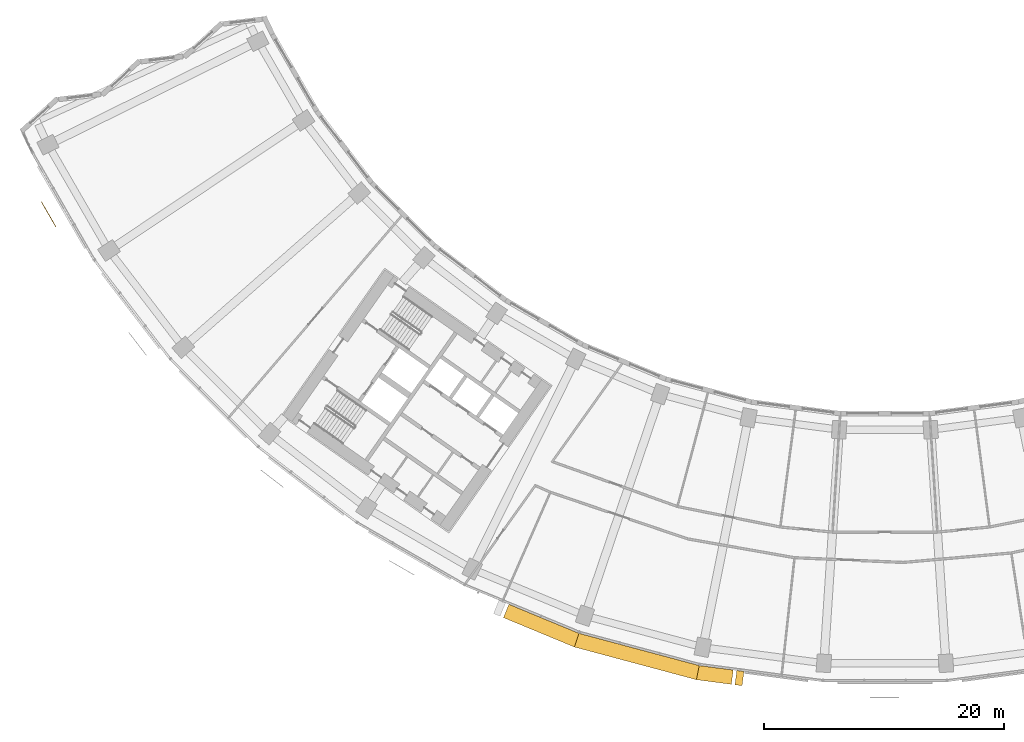
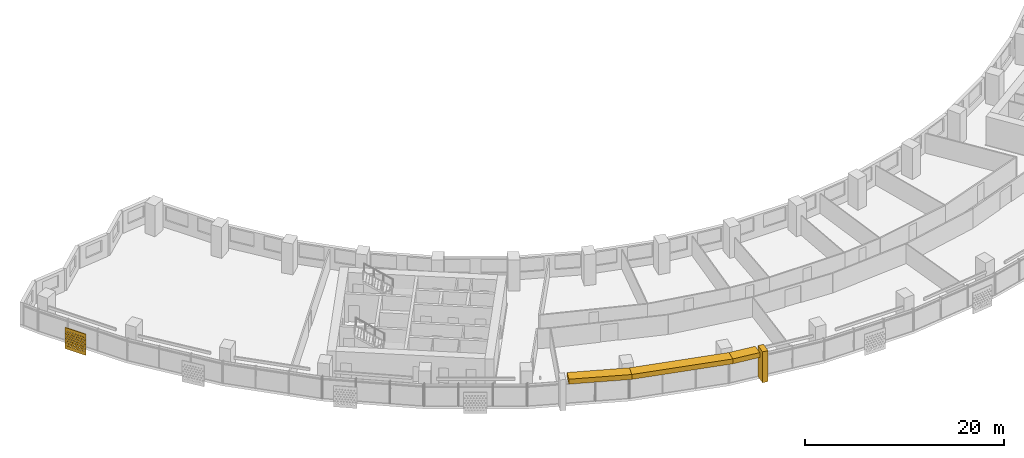
# One storey, part 25 of 29: 5 shading devices.
"""IFC4 building model written with IfcOpenShell, lengths in metres."""

from ifc_helpers import new_model, si_unit, direction, frame, origin, place, context, subcontext, project, spatial, polyline, outline, extrude, material, material_profile, profile_set, type_object, element, save


model = new_model("IFC4")

# Units and contexts
model_context = context("Model", 3, precision=1e-05, world=origin(), true_north=direction((0.0, 1.0)))
body_context = subcontext(model_context, "Body", "Model", "MODEL_VIEW")
ifc_project = project(units=[si_unit("LENGTHUNIT", "METRE"), si_unit("AREAUNIT", "SQUARE_METRE"), si_unit("VOLUMEUNIT", "CUBIC_METRE"), si_unit("PLANEANGLEUNIT", "RADIAN"), si_unit("MASSUNIT", "GRAM", prefix="KILO")], contexts=[model_context])

# Site, building, storey
site_placement = place(None, origin())
site = spatial("IfcSite", under=ifc_project, at=site_placement, CompositionType="ELEMENT")
building_placement = place(site_placement, origin())
building = spatial("IfcBuilding", under=site, at=building_placement, Name="Qamariyya Broadcast Tower", CompositionType="ELEMENT")
storey_placement = place(building_placement, frame((0.0, 0.0, 106.300048828125)))
storey = spatial("IfcBuildingStorey", under=building, at=storey_placement, Name="L23", CompositionType="ELEMENT", Elevation=106.300048828125)

# Shading devices
ifc_material_1 = material(Name="Steel S355 powder coated deep red", Category="steel")
shading_device_type_1 = type_object("IfcShadingDeviceType", Name="Deep red frame, powder coated steel box section", PredefinedType="USERDEFINED", material=ifc_material_1)
shading_device_1_placement = place(storey_placement, origin())
element("IfcShadingDevice", 1, at=shading_device_1_placement, inside=storey, type_object=shading_device_type_1, Name="e-frm-B2-F1-postb-L23", ObjectType="FRAME", PredefinedType="USERDEFINED", context=body_context, shape_type="SweptSolid", body=[
    extrude(outline(polyline([(-12.340087890625, -78.1884765625), (-12.49658203125, -79.378173828125), (-11.90185546875, -79.45654296875), (-11.7451171875, -78.266845703125), (-12.340087890625, -78.1884765625)])), origin(), (0.0, 0.0, 1.0), 3.800048828125),
])
shading_device_2_placement = place(storey_placement, frame((0.0, 0.0, 3.199951171875)))
element("IfcShadingDevice", 2, at=shading_device_2_placement, inside=storey, type_object=shading_device_type_1, Name="e-frm-B2-F1-top0", ObjectType="FRAME", PredefinedType="USERDEFINED", context=body_context, shape_type="SweptSolid", body=[
    extrude(outline(polyline([(-31.32470703125, -72.6748046875), (-31.783935546875, -73.783447265625), (-25.876708984375, -76.230224609375), (-25.490234375, -75.091552734375), (-31.32470703125, -72.6748046875)])), origin(), (0.0, 0.0, 1.0), 0.60009765625),
])
shading_device_3_placement = place(storey_placement, frame((0.0, 0.0, 3.199951171875)))
element("IfcShadingDevice", 3, at=shading_device_3_placement, inside=storey, type_object=shading_device_type_1, Name="e-frm-B2-F1-top1", ObjectType="FRAME", PredefinedType="USERDEFINED", context=body_context, shape_type="SweptSolid", body=[
    extrude(outline(polyline([(-25.490234375, -75.091552734375), (-25.876708984375, -76.230224609375), (-15.705322265625, -78.955810546875), (-15.470703125, -77.7763671875), (-25.490234375, -75.091552734375)])), origin(), (0.0, 0.0, 1.0), 0.60009765625),
])
shading_device_4_placement = place(storey_placement, frame((0.0, 0.0, 3.199951171875)))
element("IfcShadingDevice", 4, at=shading_device_4_placement, inside=storey, type_object=shading_device_type_1, Name="e-frm-B2-F1-top2", ObjectType="FRAME", PredefinedType="USERDEFINED", context=body_context, shape_type="SweptSolid", body=[
    extrude(outline(polyline([(-15.470703125, -77.7763671875), (-15.705322265625, -78.955810546875), (-12.794189453125, -79.339111328125), (-12.637451171875, -78.149169921875), (-15.470703125, -77.7763671875)])), origin(), (0.0, 0.0, 1.0), 0.60009765625),
])
ifc_material_2 = material(Name="Perforated glazed terracotta", Category="masonry")
ifc_material_profile = material_profile(ifc_material_2, outline(polyline([(-1.199951171875, -1.300048828125), (1.199951171875, -1.300048828125), (1.199951171875, 1.300048828125), (-1.199951171875, 1.300048828125), (-1.199951171875, -1.300048828125)]), holes=[polyline([(-0.81494140625, -0.86669921875), (-0.89990234375, -0.78173828125), (-0.985107421875, -0.86669921875), (-0.89990234375, -0.95166015625), (-0.81494140625, -0.86669921875)]), polyline([(-0.514892578125, -0.86669921875), (-0.60009765625, -0.78173828125), (-0.68505859375, -0.86669921875), (-0.60009765625, -0.95166015625), (-0.514892578125, -0.86669921875)]), polyline([(-0.215087890625, -0.86669921875), (-0.300048828125, -0.78173828125), (-0.385009765625, -0.86669921875), (-0.300048828125, -0.95166015625), (-0.215087890625, -0.86669921875)]), polyline([(0.0849609375, -0.86669921875), (0.0, -0.78173828125), (-0.0849609375, -0.86669921875), (0.0, -0.95166015625), (0.0849609375, -0.86669921875)]), polyline([(0.385009765625, -0.86669921875), (0.300048828125, -0.78173828125), (0.215087890625, -0.86669921875), (0.300048828125, -0.95166015625), (0.385009765625, -0.86669921875)]), polyline([(0.68505859375, -0.86669921875), (0.60009765625, -0.78173828125), (0.514892578125, -0.86669921875), (0.60009765625, -0.95166015625), (0.68505859375, -0.86669921875)]), polyline([(0.985107421875, -0.86669921875), (0.89990234375, -0.78173828125), (0.81494140625, -0.86669921875), (0.89990234375, -0.95166015625), (0.985107421875, -0.86669921875)]), polyline([(-0.965087890625, -0.577880859375), (-1.050048828125, -0.49267578125), (-1.135009765625, -0.577880859375), (-1.050048828125, -0.662841796875), (-0.965087890625, -0.577880859375)]), polyline([(-0.6650390625, -0.577880859375), (-0.75, -0.49267578125), (-0.8349609375, -0.577880859375), (-0.75, -0.662841796875), (-0.6650390625, -0.577880859375)]), polyline([(-0.364990234375, -0.577880859375), (-0.449951171875, -0.49267578125), (-0.534912109375, -0.577880859375), (-0.449951171875, -0.662841796875), (-0.364990234375, -0.577880859375)]), polyline([(-0.06494140625, -0.577880859375), (-0.14990234375, -0.49267578125), (-0.235107421875, -0.577880859375), (-0.14990234375, -0.662841796875), (-0.06494140625, -0.577880859375)]), polyline([(0.235107421875, -0.577880859375), (0.14990234375, -0.49267578125), (0.06494140625, -0.577880859375), (0.14990234375, -0.662841796875), (0.235107421875, -0.577880859375)]), polyline([(0.534912109375, -0.577880859375), (0.449951171875, -0.49267578125), (0.364990234375, -0.577880859375), (0.449951171875, -0.662841796875), (0.534912109375, -0.577880859375)]), polyline([(0.8349609375, -0.577880859375), (0.75, -0.49267578125), (0.6650390625, -0.577880859375), (0.75, -0.662841796875), (0.8349609375, -0.577880859375)]), polyline([(1.135009765625, -0.577880859375), (1.050048828125, -0.49267578125), (0.965087890625, -0.577880859375), (1.050048828125, -0.662841796875), (1.135009765625, -0.577880859375)]), polyline([(-0.81494140625, -0.288818359375), (-0.89990234375, -0.203857421875), (-0.985107421875, -0.288818359375), (-0.89990234375, -0.373779296875), (-0.81494140625, -0.288818359375)]), polyline([(-0.514892578125, -0.288818359375), (-0.60009765625, -0.203857421875), (-0.68505859375, -0.288818359375), (-0.60009765625, -0.373779296875), (-0.514892578125, -0.288818359375)]), polyline([(-0.215087890625, -0.288818359375), (-0.300048828125, -0.203857421875), (-0.385009765625, -0.288818359375), (-0.300048828125, -0.373779296875), (-0.215087890625, -0.288818359375)]), polyline([(0.0849609375, -0.288818359375), (0.0, -0.203857421875), (-0.0849609375, -0.288818359375), (0.0, -0.373779296875), (0.0849609375, -0.288818359375)]), polyline([(0.385009765625, -0.288818359375), (0.300048828125, -0.203857421875), (0.215087890625, -0.288818359375), (0.300048828125, -0.373779296875), (0.385009765625, -0.288818359375)]), polyline([(0.68505859375, -0.288818359375), (0.60009765625, -0.203857421875), (0.514892578125, -0.288818359375), (0.60009765625, -0.373779296875), (0.68505859375, -0.288818359375)]), polyline([(0.985107421875, -0.288818359375), (0.89990234375, -0.203857421875), (0.81494140625, -0.288818359375), (0.89990234375, -0.373779296875), (0.985107421875, -0.288818359375)]), polyline([(-0.965087890625, 0.0), (-1.050048828125, 0.0849609375), (-1.135009765625, 0.0), (-1.050048828125, -0.0849609375), (-0.965087890625, 0.0)]), polyline([(-0.6650390625, 0.0), (-0.75, 0.0849609375), (-0.8349609375, 0.0), (-0.75, -0.0849609375), (-0.6650390625, 0.0)]), polyline([(-0.364990234375, 0.0), (-0.449951171875, 0.0849609375), (-0.534912109375, 0.0), (-0.449951171875, -0.0849609375), (-0.364990234375, 0.0)]), polyline([(-0.06494140625, 0.0), (-0.14990234375, 0.0849609375), (-0.235107421875, 0.0), (-0.14990234375, -0.0849609375), (-0.06494140625, 0.0)]), polyline([(0.235107421875, 0.0), (0.14990234375, 0.0849609375), (0.06494140625, 0.0), (0.14990234375, -0.0849609375), (0.235107421875, 0.0)]), polyline([(0.534912109375, 0.0), (0.449951171875, 0.0849609375), (0.364990234375, 0.0), (0.449951171875, -0.0849609375), (0.534912109375, 0.0)]), polyline([(0.8349609375, 0.0), (0.75, 0.0849609375), (0.6650390625, 0.0), (0.75, -0.0849609375), (0.8349609375, 0.0)]), polyline([(1.135009765625, 0.0), (1.050048828125, 0.0849609375), (0.965087890625, 0.0), (1.050048828125, -0.0849609375), (1.135009765625, 0.0)]), polyline([(-0.81494140625, 0.288818359375), (-0.89990234375, 0.373779296875), (-0.985107421875, 0.288818359375), (-0.89990234375, 0.203857421875), (-0.81494140625, 0.288818359375)]), polyline([(-0.514892578125, 0.288818359375), (-0.60009765625, 0.373779296875), (-0.68505859375, 0.288818359375), (-0.60009765625, 0.203857421875), (-0.514892578125, 0.288818359375)]), polyline([(-0.215087890625, 0.288818359375), (-0.300048828125, 0.373779296875), (-0.385009765625, 0.288818359375), (-0.300048828125, 0.203857421875), (-0.215087890625, 0.288818359375)]), polyline([(0.0849609375, 0.288818359375), (0.0, 0.373779296875), (-0.0849609375, 0.288818359375), (0.0, 0.203857421875), (0.0849609375, 0.288818359375)]), polyline([(0.385009765625, 0.288818359375), (0.300048828125, 0.373779296875), (0.215087890625, 0.288818359375), (0.300048828125, 0.203857421875), (0.385009765625, 0.288818359375)]), polyline([(0.68505859375, 0.288818359375), (0.60009765625, 0.373779296875), (0.514892578125, 0.288818359375), (0.60009765625, 0.203857421875), (0.68505859375, 0.288818359375)]), polyline([(0.985107421875, 0.288818359375), (0.89990234375, 0.373779296875), (0.81494140625, 0.288818359375), (0.89990234375, 0.203857421875), (0.985107421875, 0.288818359375)]), polyline([(-0.965087890625, 0.577880859375), (-1.050048828125, 0.662841796875), (-1.135009765625, 0.577880859375), (-1.050048828125, 0.49267578125), (-0.965087890625, 0.577880859375)]), polyline([(-0.6650390625, 0.577880859375), (-0.75, 0.662841796875), (-0.8349609375, 0.577880859375), (-0.75, 0.49267578125), (-0.6650390625, 0.577880859375)]), polyline([(-0.364990234375, 0.577880859375), (-0.449951171875, 0.662841796875), (-0.534912109375, 0.577880859375), (-0.449951171875, 0.49267578125), (-0.364990234375, 0.577880859375)]), polyline([(-0.06494140625, 0.577880859375), (-0.14990234375, 0.662841796875), (-0.235107421875, 0.577880859375), (-0.14990234375, 0.49267578125), (-0.06494140625, 0.577880859375)]), polyline([(0.235107421875, 0.577880859375), (0.14990234375, 0.662841796875), (0.06494140625, 0.577880859375), (0.14990234375, 0.49267578125), (0.235107421875, 0.577880859375)]), polyline([(0.534912109375, 0.577880859375), (0.449951171875, 0.662841796875), (0.364990234375, 0.577880859375), (0.449951171875, 0.49267578125), (0.534912109375, 0.577880859375)]), polyline([(0.8349609375, 0.577880859375), (0.75, 0.662841796875), (0.6650390625, 0.577880859375), (0.75, 0.49267578125), (0.8349609375, 0.577880859375)]), polyline([(1.135009765625, 0.577880859375), (1.050048828125, 0.662841796875), (0.965087890625, 0.577880859375), (1.050048828125, 0.49267578125), (1.135009765625, 0.577880859375)]), polyline([(-0.81494140625, 0.86669921875), (-0.89990234375, 0.95166015625), (-0.985107421875, 0.86669921875), (-0.89990234375, 0.78173828125), (-0.81494140625, 0.86669921875)]), polyline([(-0.514892578125, 0.86669921875), (-0.60009765625, 0.95166015625), (-0.68505859375, 0.86669921875), (-0.60009765625, 0.78173828125), (-0.514892578125, 0.86669921875)]), polyline([(-0.215087890625, 0.86669921875), (-0.300048828125, 0.95166015625), (-0.385009765625, 0.86669921875), (-0.300048828125, 0.78173828125), (-0.215087890625, 0.86669921875)]), polyline([(0.0849609375, 0.86669921875), (0.0, 0.95166015625), (-0.0849609375, 0.86669921875), (0.0, 0.78173828125), (0.0849609375, 0.86669921875)]), polyline([(0.385009765625, 0.86669921875), (0.300048828125, 0.95166015625), (0.215087890625, 0.86669921875), (0.300048828125, 0.78173828125), (0.385009765625, 0.86669921875)]), polyline([(0.68505859375, 0.86669921875), (0.60009765625, 0.95166015625), (0.514892578125, 0.86669921875), (0.60009765625, 0.78173828125), (0.68505859375, 0.86669921875)]), polyline([(0.985107421875, 0.86669921875), (0.89990234375, 0.95166015625), (0.81494140625, 0.86669921875), (0.89990234375, 0.78173828125), (0.985107421875, 0.86669921875)])]))
ifc_profile_set = profile_set([ifc_material_profile], Name="Perforated glazed terracotta")
shading_device_type_2 = type_object("IfcShadingDeviceType", Name="Perforated terracotta screen 2400 x 2600", PredefinedType="USERDEFINED", material=ifc_profile_set)
shading_device_5_placement = place(storey_placement, frame((-69.65185546875, -40.15966796875, 1.349853515625), z_axis=(-0.865982457891, -0.500074377092, 0.0), x_axis=(0.500074377092, -0.865982457891, 0.0)))
element("IfcShadingDevice", 5, at=shading_device_5_placement, inside=storey, type_object=shading_device_type_2, Name="e-scr-L23-01-1", ObjectType="SCREEN", PredefinedType="USERDEFINED", context=body_context, shape_type="SweptSolid", body=[
    extrude(outline(polyline([(-1.199951171875, -1.300048828125), (1.199951171875, -1.300048828125), (1.199951171875, 1.300048828125), (-1.199951171875, 1.300048828125), (-1.199951171875, -1.300048828125)]), holes=[polyline([(-0.81494140625, -0.86669921875), (-0.89990234375, -0.78173828125), (-0.985107421875, -0.86669921875), (-0.89990234375, -0.95166015625), (-0.81494140625, -0.86669921875)]), polyline([(-0.514892578125, -0.86669921875), (-0.60009765625, -0.78173828125), (-0.68505859375, -0.86669921875), (-0.60009765625, -0.95166015625), (-0.514892578125, -0.86669921875)]), polyline([(-0.215087890625, -0.86669921875), (-0.300048828125, -0.78173828125), (-0.385009765625, -0.86669921875), (-0.300048828125, -0.95166015625), (-0.215087890625, -0.86669921875)]), polyline([(0.0849609375, -0.86669921875), (0.0, -0.78173828125), (-0.0849609375, -0.86669921875), (0.0, -0.95166015625), (0.0849609375, -0.86669921875)]), polyline([(0.385009765625, -0.86669921875), (0.300048828125, -0.78173828125), (0.215087890625, -0.86669921875), (0.300048828125, -0.95166015625), (0.385009765625, -0.86669921875)]), polyline([(0.68505859375, -0.86669921875), (0.60009765625, -0.78173828125), (0.514892578125, -0.86669921875), (0.60009765625, -0.95166015625), (0.68505859375, -0.86669921875)]), polyline([(0.985107421875, -0.86669921875), (0.89990234375, -0.78173828125), (0.81494140625, -0.86669921875), (0.89990234375, -0.95166015625), (0.985107421875, -0.86669921875)]), polyline([(-0.965087890625, -0.577880859375), (-1.050048828125, -0.49267578125), (-1.135009765625, -0.577880859375), (-1.050048828125, -0.662841796875), (-0.965087890625, -0.577880859375)]), polyline([(-0.6650390625, -0.577880859375), (-0.75, -0.49267578125), (-0.8349609375, -0.577880859375), (-0.75, -0.662841796875), (-0.6650390625, -0.577880859375)]), polyline([(-0.364990234375, -0.577880859375), (-0.449951171875, -0.49267578125), (-0.534912109375, -0.577880859375), (-0.449951171875, -0.662841796875), (-0.364990234375, -0.577880859375)]), polyline([(-0.06494140625, -0.577880859375), (-0.14990234375, -0.49267578125), (-0.235107421875, -0.577880859375), (-0.14990234375, -0.662841796875), (-0.06494140625, -0.577880859375)]), polyline([(0.235107421875, -0.577880859375), (0.14990234375, -0.49267578125), (0.06494140625, -0.577880859375), (0.14990234375, -0.662841796875), (0.235107421875, -0.577880859375)]), polyline([(0.534912109375, -0.577880859375), (0.449951171875, -0.49267578125), (0.364990234375, -0.577880859375), (0.449951171875, -0.662841796875), (0.534912109375, -0.577880859375)]), polyline([(0.8349609375, -0.577880859375), (0.75, -0.49267578125), (0.6650390625, -0.577880859375), (0.75, -0.662841796875), (0.8349609375, -0.577880859375)]), polyline([(1.135009765625, -0.577880859375), (1.050048828125, -0.49267578125), (0.965087890625, -0.577880859375), (1.050048828125, -0.662841796875), (1.135009765625, -0.577880859375)]), polyline([(-0.81494140625, -0.288818359375), (-0.89990234375, -0.203857421875), (-0.985107421875, -0.288818359375), (-0.89990234375, -0.373779296875), (-0.81494140625, -0.288818359375)]), polyline([(-0.514892578125, -0.288818359375), (-0.60009765625, -0.203857421875), (-0.68505859375, -0.288818359375), (-0.60009765625, -0.373779296875), (-0.514892578125, -0.288818359375)]), polyline([(-0.215087890625, -0.288818359375), (-0.300048828125, -0.203857421875), (-0.385009765625, -0.288818359375), (-0.300048828125, -0.373779296875), (-0.215087890625, -0.288818359375)]), polyline([(0.0849609375, -0.288818359375), (0.0, -0.203857421875), (-0.0849609375, -0.288818359375), (0.0, -0.373779296875), (0.0849609375, -0.288818359375)]), polyline([(0.385009765625, -0.288818359375), (0.300048828125, -0.203857421875), (0.215087890625, -0.288818359375), (0.300048828125, -0.373779296875), (0.385009765625, -0.288818359375)]), polyline([(0.68505859375, -0.288818359375), (0.60009765625, -0.203857421875), (0.514892578125, -0.288818359375), (0.60009765625, -0.373779296875), (0.68505859375, -0.288818359375)]), polyline([(0.985107421875, -0.288818359375), (0.89990234375, -0.203857421875), (0.81494140625, -0.288818359375), (0.89990234375, -0.373779296875), (0.985107421875, -0.288818359375)]), polyline([(-0.965087890625, 0.0), (-1.050048828125, 0.0849609375), (-1.135009765625, 0.0), (-1.050048828125, -0.0849609375), (-0.965087890625, 0.0)]), polyline([(-0.6650390625, 0.0), (-0.75, 0.0849609375), (-0.8349609375, 0.0), (-0.75, -0.0849609375), (-0.6650390625, 0.0)]), polyline([(-0.364990234375, 0.0), (-0.449951171875, 0.0849609375), (-0.534912109375, 0.0), (-0.449951171875, -0.0849609375), (-0.364990234375, 0.0)]), polyline([(-0.06494140625, 0.0), (-0.14990234375, 0.0849609375), (-0.235107421875, 0.0), (-0.14990234375, -0.0849609375), (-0.06494140625, 0.0)]), polyline([(0.235107421875, 0.0), (0.14990234375, 0.0849609375), (0.06494140625, 0.0), (0.14990234375, -0.0849609375), (0.235107421875, 0.0)]), polyline([(0.534912109375, 0.0), (0.449951171875, 0.0849609375), (0.364990234375, 0.0), (0.449951171875, -0.0849609375), (0.534912109375, 0.0)]), polyline([(0.8349609375, 0.0), (0.75, 0.0849609375), (0.6650390625, 0.0), (0.75, -0.0849609375), (0.8349609375, 0.0)]), polyline([(1.135009765625, 0.0), (1.050048828125, 0.0849609375), (0.965087890625, 0.0), (1.050048828125, -0.0849609375), (1.135009765625, 0.0)]), polyline([(-0.81494140625, 0.288818359375), (-0.89990234375, 0.373779296875), (-0.985107421875, 0.288818359375), (-0.89990234375, 0.203857421875), (-0.81494140625, 0.288818359375)]), polyline([(-0.514892578125, 0.288818359375), (-0.60009765625, 0.373779296875), (-0.68505859375, 0.288818359375), (-0.60009765625, 0.203857421875), (-0.514892578125, 0.288818359375)]), polyline([(-0.215087890625, 0.288818359375), (-0.300048828125, 0.373779296875), (-0.385009765625, 0.288818359375), (-0.300048828125, 0.203857421875), (-0.215087890625, 0.288818359375)]), polyline([(0.0849609375, 0.288818359375), (0.0, 0.373779296875), (-0.0849609375, 0.288818359375), (0.0, 0.203857421875), (0.0849609375, 0.288818359375)]), polyline([(0.385009765625, 0.288818359375), (0.300048828125, 0.373779296875), (0.215087890625, 0.288818359375), (0.300048828125, 0.203857421875), (0.385009765625, 0.288818359375)]), polyline([(0.68505859375, 0.288818359375), (0.60009765625, 0.373779296875), (0.514892578125, 0.288818359375), (0.60009765625, 0.203857421875), (0.68505859375, 0.288818359375)]), polyline([(0.985107421875, 0.288818359375), (0.89990234375, 0.373779296875), (0.81494140625, 0.288818359375), (0.89990234375, 0.203857421875), (0.985107421875, 0.288818359375)]), polyline([(-0.965087890625, 0.577880859375), (-1.050048828125, 0.662841796875), (-1.135009765625, 0.577880859375), (-1.050048828125, 0.49267578125), (-0.965087890625, 0.577880859375)]), polyline([(-0.6650390625, 0.577880859375), (-0.75, 0.662841796875), (-0.8349609375, 0.577880859375), (-0.75, 0.49267578125), (-0.6650390625, 0.577880859375)]), polyline([(-0.364990234375, 0.577880859375), (-0.449951171875, 0.662841796875), (-0.534912109375, 0.577880859375), (-0.449951171875, 0.49267578125), (-0.364990234375, 0.577880859375)]), polyline([(-0.06494140625, 0.577880859375), (-0.14990234375, 0.662841796875), (-0.235107421875, 0.577880859375), (-0.14990234375, 0.49267578125), (-0.06494140625, 0.577880859375)]), polyline([(0.235107421875, 0.577880859375), (0.14990234375, 0.662841796875), (0.06494140625, 0.577880859375), (0.14990234375, 0.49267578125), (0.235107421875, 0.577880859375)]), polyline([(0.534912109375, 0.577880859375), (0.449951171875, 0.662841796875), (0.364990234375, 0.577880859375), (0.449951171875, 0.49267578125), (0.534912109375, 0.577880859375)]), polyline([(0.8349609375, 0.577880859375), (0.75, 0.662841796875), (0.6650390625, 0.577880859375), (0.75, 0.49267578125), (0.8349609375, 0.577880859375)]), polyline([(1.135009765625, 0.577880859375), (1.050048828125, 0.662841796875), (0.965087890625, 0.577880859375), (1.050048828125, 0.49267578125), (1.135009765625, 0.577880859375)]), polyline([(-0.81494140625, 0.86669921875), (-0.89990234375, 0.95166015625), (-0.985107421875, 0.86669921875), (-0.89990234375, 0.78173828125), (-0.81494140625, 0.86669921875)]), polyline([(-0.514892578125, 0.86669921875), (-0.60009765625, 0.95166015625), (-0.68505859375, 0.86669921875), (-0.60009765625, 0.78173828125), (-0.514892578125, 0.86669921875)]), polyline([(-0.215087890625, 0.86669921875), (-0.300048828125, 0.95166015625), (-0.385009765625, 0.86669921875), (-0.300048828125, 0.78173828125), (-0.215087890625, 0.86669921875)]), polyline([(0.0849609375, 0.86669921875), (0.0, 0.95166015625), (-0.0849609375, 0.86669921875), (0.0, 0.78173828125), (0.0849609375, 0.86669921875)]), polyline([(0.385009765625, 0.86669921875), (0.300048828125, 0.95166015625), (0.215087890625, 0.86669921875), (0.300048828125, 0.78173828125), (0.385009765625, 0.86669921875)]), polyline([(0.68505859375, 0.86669921875), (0.60009765625, 0.95166015625), (0.514892578125, 0.86669921875), (0.60009765625, 0.78173828125), (0.68505859375, 0.86669921875)]), polyline([(0.985107421875, 0.86669921875), (0.89990234375, 0.95166015625), (0.81494140625, 0.86669921875), (0.89990234375, 0.78173828125), (0.985107421875, 0.86669921875)])]), origin(), (0.0, 0.0, 1.0), 0.06005859375),
])

save(model, "model.ifc")
